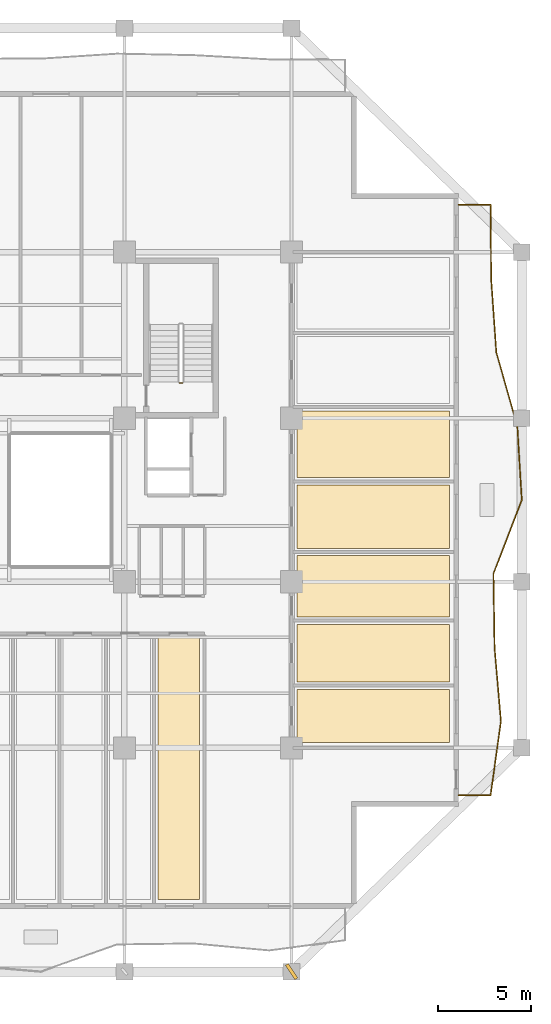
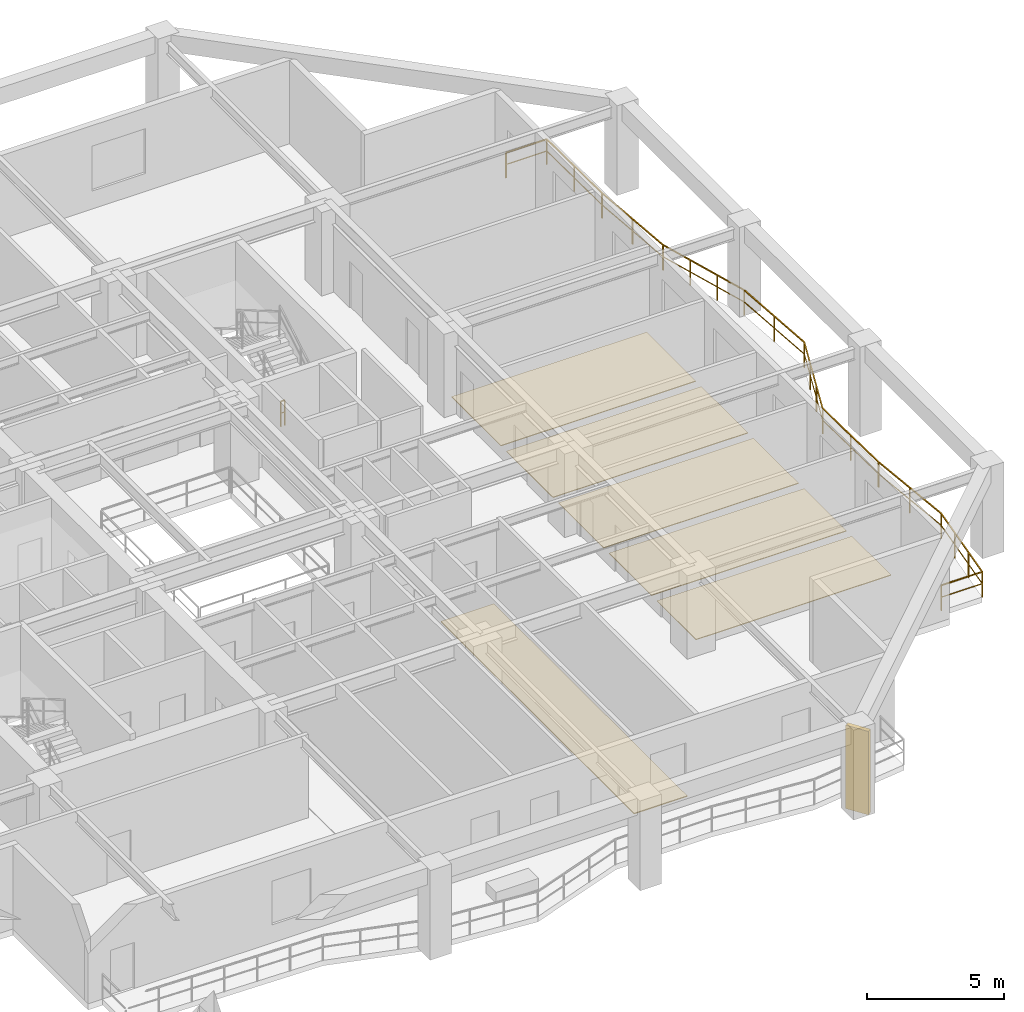
# One storey, part 10 of 13: 6 coverings, 2 railings, 1 shading device.
"""IFC4 building model written with IfcOpenShell, lengths in metres."""

from ifc_helpers import new_model, si_unit, direction, frame, origin, origin_2d, place, context, subcontext, project, spatial, polyline, rectangle, outline, extrude, material, layer, layer_set, type_object, element, save


model = new_model("IFC4")

# Units and contexts
model_context = context("Model", 3, precision=1e-05, world=origin(), true_north=direction((0.0, 1.0)))
body_context = subcontext(model_context, "Body", "Model", "MODEL_VIEW")
ifc_project = project(units=[si_unit("LENGTHUNIT", "METRE"), si_unit("AREAUNIT", "SQUARE_METRE"), si_unit("VOLUMEUNIT", "CUBIC_METRE"), si_unit("PLANEANGLEUNIT", "RADIAN"), si_unit("MASSUNIT", "GRAM", prefix="KILO")], contexts=[model_context])

# Site, building, storey
site_placement = place(None, origin())
site = spatial("IfcSite", under=ifc_project, at=site_placement, CompositionType="ELEMENT")
building_placement = place(site_placement, origin())
building = spatial("IfcBuilding", under=site, at=building_placement, Name="Kundavana Baori Tower", CompositionType="ELEMENT")
storey_placement = place(building_placement, frame((0.0, 0.0, 66.0)))
storey = spatial("IfcBuildingStorey", under=building, at=storey_placement, Name="L15", CompositionType="ELEMENT", Elevation=66.0)

# Coverings
ifc_material_1 = material(Name="Honed Kota Stone and Terrazzo Flooring", Category="masonry")
ifc_layer_1 = layer(ifc_material_1, 0.0400390625, Name="COV-FLR-TERR-40")
ifc_layer_set_1 = layer_set([ifc_layer_1], Name="Honed Kota Stone and Terrazzo Flooring")
covering_type_1 = type_object("IfcCoveringType", Name="COV-FLR-TERR-40", PredefinedType="FLOORING", material=ifc_layer_set_1)
covering_1_placement = place(storey_placement, origin())
element("IfcCovering", 1, at=covering_1_placement, inside=storey, type_object=covering_type_1, Name="L15 Room Finished Stone Flooring 6", PredefinedType="FLOORING", context=body_context, shape_type="SweptSolid", body=[
    extrude(outline(polyline([(35.60009765625, 7.080078125), (37.840087890625, 7.080078125), (37.840087890625, 21.199951171875), (35.60009765625, 21.199951171875), (35.60009765625, 7.080078125)])), origin(), (0.0, 0.0, 1.0), 0.0400390625),
])
ifc_material_2 = material(Name="Honed Kota Stone and Terrazzo Flooring", Category="masonry")
ifc_layer_2 = layer(ifc_material_2, 0.030029296875, Name="COV-INT-FLR")
ifc_layer_set_2 = layer_set([ifc_layer_2], Name="Honed Kota Stone and Terrazzo Flooring")
covering_type_2 = type_object("IfcCoveringType", Name="COV-INT-FLR", PredefinedType="FLOORING", material=ifc_layer_set_2)
covering_2_placement = place(storey_placement, origin())
element("IfcCovering", 2, at=covering_2_placement, inside=storey, type_object=covering_type_2, Name="L15 Room Finished Stone Flooring 7", PredefinedType="FLOORING", context=body_context, shape_type="SweptSolid", body=[
    extrude(outline(polyline([(43.10009765625, 15.550048828125), (51.320068359375, 15.550048828125), (51.320068359375, 18.39990234375), (43.10009765625, 18.39990234375), (43.10009765625, 15.550048828125)])), origin(), (0.0, 0.0, 1.0), 0.030029296875),
])
covering_3_placement = place(storey_placement, origin())
element("IfcCovering", 3, at=covering_3_placement, inside=storey, type_object=covering_type_2, Name="L15 Room Finished Stone Flooring 8", PredefinedType="FLOORING", context=body_context, shape_type="SweptSolid", body=[
    extrude(outline(polyline([(43.10009765625, 18.800048828125), (51.320068359375, 18.800048828125), (51.320068359375, 21.89990234375), (43.10009765625, 21.89990234375), (43.10009765625, 18.800048828125)])), origin(), (0.0, 0.0, 1.0), 0.030029296875),
])
covering_4_placement = place(storey_placement, origin())
element("IfcCovering", 4, at=covering_4_placement, inside=storey, type_object=covering_type_2, Name="L15 Room Finished Stone Flooring 9", PredefinedType="FLOORING", context=body_context, shape_type="SweptSolid", body=[
    extrude(outline(polyline([(43.10009765625, 22.300048828125), (51.320068359375, 22.300048828125), (51.320068359375, 25.60009765625), (43.10009765625, 25.60009765625), (43.10009765625, 22.300048828125)])), origin(), (0.0, 0.0, 1.0), 0.030029296875),
])
covering_5_placement = place(storey_placement, origin())
element("IfcCovering", 5, at=covering_5_placement, inside=storey, type_object=covering_type_2, Name="L15 Room Finished Stone Flooring 10", PredefinedType="FLOORING", context=body_context, shape_type="SweptSolid", body=[
    extrude(outline(polyline([(43.10009765625, 26.0), (51.320068359375, 26.0), (51.320068359375, 29.39990234375), (43.10009765625, 29.39990234375), (43.10009765625, 26.0)])), origin(), (0.0, 0.0, 1.0), 0.030029296875),
])
covering_6_placement = place(storey_placement, origin())
element("IfcCovering", 6, at=covering_6_placement, inside=storey, type_object=covering_type_2, Name="L15 Room Finished Stone Flooring 11", PredefinedType="FLOORING", context=body_context, shape_type="SweptSolid", body=[
    extrude(outline(polyline([(43.10009765625, 29.800048828125), (51.320068359375, 29.800048828125), (51.320068359375, 33.39990234375), (43.10009765625, 33.39990234375), (43.10009765625, 29.800048828125)])), origin(), (0.0, 0.0, 1.0), 0.030029296875),
])

# Railings
ifc_material_3 = material(Name="Architectural Patinated Bronze Metalwork")
railing_type_1 = type_object("IfcRailingType", Name="RL-BAL-1150", PredefinedType="BALUSTRADE", material=ifc_material_3)
railing_1_placement = place(storey_placement, frame((51.800048828125, 44.5, 0.0)))
element("IfcRailing", 7, at=railing_1_placement, inside=storey, type_object=railing_type_1, Name="L15 Loggia Balcony Balustrade E", PredefinedType="BALUSTRADE", context=body_context, shape_type="SweptSolid", body=[
    extrude(rectangle(XDim=0.048095703125, YDim=0.048095703125, at=origin_2d()), frame((0.0, 0.0, 1.1259765625), z_axis=(1.0, 0.0, 0.0), x_axis=(0.0, 1.0, 0.0)), (0.0, 0.0, 1.0), 1.719970703125),
    extrude(rectangle(XDim=0.03125, YDim=0.03125, at=origin_2d()), frame((0.0, 0.0, 0.597900390625), z_axis=(1.0, 0.0, 0.0), x_axis=(0.0, 1.0, 0.0)), (0.0, 0.0, 1.0), 1.719970703125),
    extrude(rectangle(XDim=0.048095703125, YDim=0.048095703125, at=origin_2d()), frame((1.719970703125, 0.0, 1.1259765625), z_axis=(0.008045434233, -0.99996763497, 0.0), x_axis=(0.99996763497, 0.008045434233, 0.0)), (0.0, 0.0, 1.0), 3.975341796875),
    extrude(rectangle(XDim=0.03125, YDim=0.03125, at=origin_2d()), frame((1.719970703125, 0.0, 0.597900390625), z_axis=(0.008045434233, -0.99996763497, 0.0), x_axis=(0.99996763497, 0.008045434233, 0.0)), (0.0, 0.0, 1.0), 3.975341796875),
    extrude(rectangle(XDim=0.048095703125, YDim=0.048095703125, at=origin_2d()), frame((1.751953125, -3.97509765625, 1.1259765625), z_axis=(0.069788275888, -0.997561825928, 0.0), x_axis=(0.997561825928, 0.069788275888, 0.0)), (0.0, 0.0, 1.0), 3.984619140625),
    extrude(rectangle(XDim=0.03125, YDim=0.03125, at=origin_2d()), frame((1.751953125, -3.97509765625, 0.597900390625), z_axis=(0.069788275888, -0.997561825928, 0.0), x_axis=(0.997561825928, 0.069788275888, 0.0)), (0.0, 0.0, 1.0), 3.984619140625),
    extrude(rectangle(XDim=0.048095703125, YDim=0.048095703125, at=origin_2d()), frame((2.030029296875, -7.949951171875, 1.1259765625), z_axis=(0.273191358221, -0.961959709028, 0.0), x_axis=(0.961959709028, 0.273191358221, 0.0)), (0.0, 0.0, 1.0), 4.13232421875),
    extrude(rectangle(XDim=0.03125, YDim=0.03125, at=origin_2d()), frame((2.030029296875, -7.949951171875, 0.597900390625), z_axis=(0.273191358221, -0.961959709028, 0.0), x_axis=(0.961959709028, 0.273191358221, 0.0)), (0.0, 0.0, 1.0), 4.13232421875),
    extrude(rectangle(XDim=0.048095703125, YDim=0.048095703125, at=origin_2d()), frame((3.158935546875, -11.925048828125, 1.1259765625), z_axis=(0.060511719766, -0.998167486833, 0.0), x_axis=(0.998167486833, 0.060511719766, 0.0)), (0.0, 0.0, 1.0), 3.982177734375),
    extrude(rectangle(XDim=0.03125, YDim=0.03125, at=origin_2d()), frame((3.158935546875, -11.925048828125, 0.597900390625), z_axis=(0.060511719766, -0.998167486833, 0.0), x_axis=(0.998167486833, 0.060511719766, 0.0)), (0.0, 0.0, 1.0), 3.982177734375),
    extrude(rectangle(XDim=0.048095703125, YDim=0.048095703125, at=origin_2d()), frame((3.39990234375, -15.89990234375, 1.1259765625), z_axis=(-0.358364240516, -0.933581850252, 0.0), x_axis=(0.933581850252, -0.358364240516, 0.0)), (0.0, 0.0, 1.0), 4.2578125),
    extrude(rectangle(XDim=0.03125, YDim=0.03125, at=origin_2d()), frame((3.39990234375, -15.89990234375, 0.597900390625), z_axis=(-0.358364240516, -0.933581850252, 0.0), x_axis=(0.933581850252, -0.358364240516, 0.0)), (0.0, 0.0, 1.0), 4.2578125),
    extrude(rectangle(XDim=0.048095703125, YDim=0.048095703125, at=origin_2d()), frame((1.8740234375, -19.875, 1.1259765625), z_axis=(0.015598151254, -0.999878341438, 0.0), x_axis=(0.999878341438, 0.015598151254, 0.0)), (0.0, 0.0, 1.0), 3.9755859375),
    extrude(rectangle(XDim=0.03125, YDim=0.03125, at=origin_2d()), frame((1.8740234375, -19.875, 0.597900390625), z_axis=(0.015598151254, -0.999878341438, 0.0), x_axis=(0.999878341438, 0.015598151254, 0.0)), (0.0, 0.0, 1.0), 3.9755859375),
    extrude(rectangle(XDim=0.048095703125, YDim=0.048095703125, at=origin_2d()), frame((1.93603515625, -23.85009765625, 1.1259765625), z_axis=(0.085977360897, -0.996297090939, 0.0), x_axis=(0.996297090939, 0.085977360897, 0.0)), (0.0, 0.0, 1.0), 3.98974609375),
    extrude(rectangle(XDim=0.03125, YDim=0.03125, at=origin_2d()), frame((1.93603515625, -23.85009765625, 0.597900390625), z_axis=(0.085977360897, -0.996297090939, 0.0), x_axis=(0.996297090939, 0.085977360897, 0.0)), (0.0, 0.0, 1.0), 3.98974609375),
    extrude(rectangle(XDim=0.048095703125, YDim=0.048095703125, at=origin_2d()), frame((2.279052734375, -27.824951171875, 1.1259765625), z_axis=(-0.139275332457, -0.99025369566, 0.0), x_axis=(0.99025369566, -0.139275332457, 0.0)), (0.0, 0.0, 1.0), 4.01416015625),
    extrude(rectangle(XDim=0.03125, YDim=0.03125, at=origin_2d()), frame((2.279052734375, -27.824951171875, 0.597900390625), z_axis=(-0.139275332457, -0.99025369566, 0.0), x_axis=(0.99025369566, -0.139275332457, 0.0)), (0.0, 0.0, 1.0), 4.01416015625),
    extrude(rectangle(XDim=0.048095703125, YDim=0.048095703125, at=origin_2d()), frame((1.719970703125, -31.800048828125, 1.1259765625), z_axis=(-1.0, 0.0, 0.0), x_axis=(0.0, -1.0, 0.0)), (0.0, 0.0, 1.0), 1.719970703125),
    extrude(rectangle(XDim=0.03125, YDim=0.03125, at=origin_2d()), frame((1.719970703125, -31.800048828125, 0.597900390625), z_axis=(-1.0, 0.0, 0.0), x_axis=(0.0, -1.0, 0.0)), (0.0, 0.0, 1.0), 1.719970703125),
    extrude(rectangle(XDim=0.0419921875, YDim=0.0419921875, at=origin_2d()), origin(), (0.0, 0.0, 1.0), 1.101806640625),
    extrude(rectangle(XDim=0.0419921875, YDim=0.0419921875, at=origin_2d()), frame((1.719970703125, 0.0, 0.0)), (0.0, 0.0, 1.0), 1.101806640625),
    extrude(rectangle(XDim=0.0419921875, YDim=0.0419921875, at=origin_2d()), frame((1.73583984375, -1.987548828125, 0.0)), (0.0, 0.0, 1.0), 1.101806640625),
    extrude(rectangle(XDim=0.0419921875, YDim=0.0419921875, at=origin_2d()), frame((1.751953125, -3.97509765625, 0.0)), (0.0, 0.0, 1.0), 1.101806640625),
    extrude(rectangle(XDim=0.0419921875, YDim=0.0419921875, at=origin_2d()), frame((1.89111328125, -5.96240234375, 0.0)), (0.0, 0.0, 1.0), 1.101806640625),
    extrude(rectangle(XDim=0.0419921875, YDim=0.0419921875, at=origin_2d()), frame((2.030029296875, -7.949951171875, 0.0)), (0.0, 0.0, 1.0), 1.101806640625),
    extrude(rectangle(XDim=0.0419921875, YDim=0.0419921875, at=origin_2d()), frame((2.40625, -9.27490234375, 0.0)), (0.0, 0.0, 1.0), 1.101806640625),
    extrude(rectangle(XDim=0.0419921875, YDim=0.0419921875, at=origin_2d()), frame((2.78271484375, -10.60009765625, 0.0)), (0.0, 0.0, 1.0), 1.101806640625),
    extrude(rectangle(XDim=0.0419921875, YDim=0.0419921875, at=origin_2d()), frame((3.158935546875, -11.925048828125, 0.0)), (0.0, 0.0, 1.0), 1.101806640625),
    extrude(rectangle(XDim=0.0419921875, YDim=0.0419921875, at=origin_2d()), frame((3.279296875, -13.91259765625, 0.0)), (0.0, 0.0, 1.0), 1.101806640625),
    extrude(rectangle(XDim=0.0419921875, YDim=0.0419921875, at=origin_2d()), frame((3.39990234375, -15.89990234375, 0.0)), (0.0, 0.0, 1.0), 1.101806640625),
    extrude(rectangle(XDim=0.0419921875, YDim=0.0419921875, at=origin_2d()), frame((2.891357421875, -17.224853515625, 0.0)), (0.0, 0.0, 1.0), 1.101806640625),
    extrude(rectangle(XDim=0.0419921875, YDim=0.0419921875, at=origin_2d()), frame((2.382568359375, -18.550048828125, 0.0)), (0.0, 0.0, 1.0), 1.101806640625),
    extrude(rectangle(XDim=0.0419921875, YDim=0.0419921875, at=origin_2d()), frame((1.8740234375, -19.875, 0.0)), (0.0, 0.0, 1.0), 1.101806640625),
    extrude(rectangle(XDim=0.0419921875, YDim=0.0419921875, at=origin_2d()), frame((1.905029296875, -21.862548828125, 0.0)), (0.0, 0.0, 1.0), 1.101806640625),
    extrude(rectangle(XDim=0.0419921875, YDim=0.0419921875, at=origin_2d()), frame((1.93603515625, -23.85009765625, 0.0)), (0.0, 0.0, 1.0), 1.101806640625),
    extrude(rectangle(XDim=0.0419921875, YDim=0.0419921875, at=origin_2d()), frame((2.107421875, -25.83740234375, 0.0)), (0.0, 0.0, 1.0), 1.101806640625),
    extrude(rectangle(XDim=0.0419921875, YDim=0.0419921875, at=origin_2d()), frame((2.279052734375, -27.824951171875, 0.0)), (0.0, 0.0, 1.0), 1.101806640625),
    extrude(rectangle(XDim=0.0419921875, YDim=0.0419921875, at=origin_2d()), frame((2.0927734375, -29.14990234375, 0.0)), (0.0, 0.0, 1.0), 1.101806640625),
    extrude(rectangle(XDim=0.0419921875, YDim=0.0419921875, at=origin_2d()), frame((1.90625, -30.47509765625, 0.0)), (0.0, 0.0, 1.0), 1.101806640625),
    extrude(rectangle(XDim=0.0419921875, YDim=0.0419921875, at=origin_2d()), frame((1.719970703125, -31.800048828125, 0.0)), (0.0, 0.0, 1.0), 1.101806640625),
    extrude(rectangle(XDim=0.0419921875, YDim=0.0419921875, at=origin_2d()), frame((0.0, -31.800048828125, 0.0)), (0.0, 0.0, 1.0), 1.101806640625),
])
ifc_material_4 = material(Name="Architectural Patinated Bronze Metalwork")
railing_type_2 = type_object("IfcRailingType", Name="RL-GRD-1150", PredefinedType="GUARDRAIL", material=ifc_material_4)
railing_2_placement = place(storey_placement, frame((36.929931640625, 34.89990234375, 0.0)))
element("IfcRailing", 8, at=railing_2_placement, inside=storey, type_object=railing_type_2, Name="L15 ST3 stair guard 4", PredefinedType="GUARDRAIL", context=body_context, shape_type="SweptSolid", body=[
    extrude(rectangle(XDim=0.048095703125, YDim=0.048095703125, at=origin_2d()), frame((0.0, 0.0, 1.1259765625), z_axis=(-1.0, 0.0, 0.0), x_axis=(0.0, -1.0, 0.0)), (0.0, 0.0, 1.0), 0.159912109375),
    extrude(rectangle(XDim=0.03125, YDim=0.03125, at=origin_2d()), frame((0.0, 0.0, 0.597900390625), z_axis=(-1.0, 0.0, 0.0), x_axis=(0.0, -1.0, 0.0)), (0.0, 0.0, 1.0), 0.159912109375),
    extrude(rectangle(XDim=0.0419921875, YDim=0.0419921875, at=origin_2d()), origin(), (0.0, 0.0, 1.0), 1.101806640625),
    extrude(rectangle(XDim=0.0419921875, YDim=0.0419921875, at=origin_2d()), frame((-0.159912109375, 0.0, 0.0)), (0.0, 0.0, 1.0), 1.101806640625),
])

# Shading device
ifc_material_5 = material(Name="Red-Buff Dholpur Sandstone Cladding on Concrete C40/50", Category="masonry")
shading_device_type = type_object("IfcShadingDeviceType", Name="SHD-FIN-920", PredefinedType="JALOUSIE", material=ifc_material_5)
shading_device_placement = place(storey_placement, frame((42.800048828125, 3.199951171875, 0.0), z_axis=(0.0, 0.0, 1.0), x_axis=(0.831566564936, 0.555425105735, 0.0)))
element("IfcShadingDevice", 9, at=shading_device_placement, inside=storey, type_object=shading_device_type, Name="L15 Sweeping Dholpur Sandstone Facade Fin 4", PredefinedType="JALOUSIE", context=body_context, shape_type="SweptSolid", body=[
    extrude(rectangle(XDim=0.179931640625, YDim=0.919921875, at=origin_2d()), origin(), (0.0, 0.0, 1.0), 3.719970703125),
])

save(model, "model.ifc")
